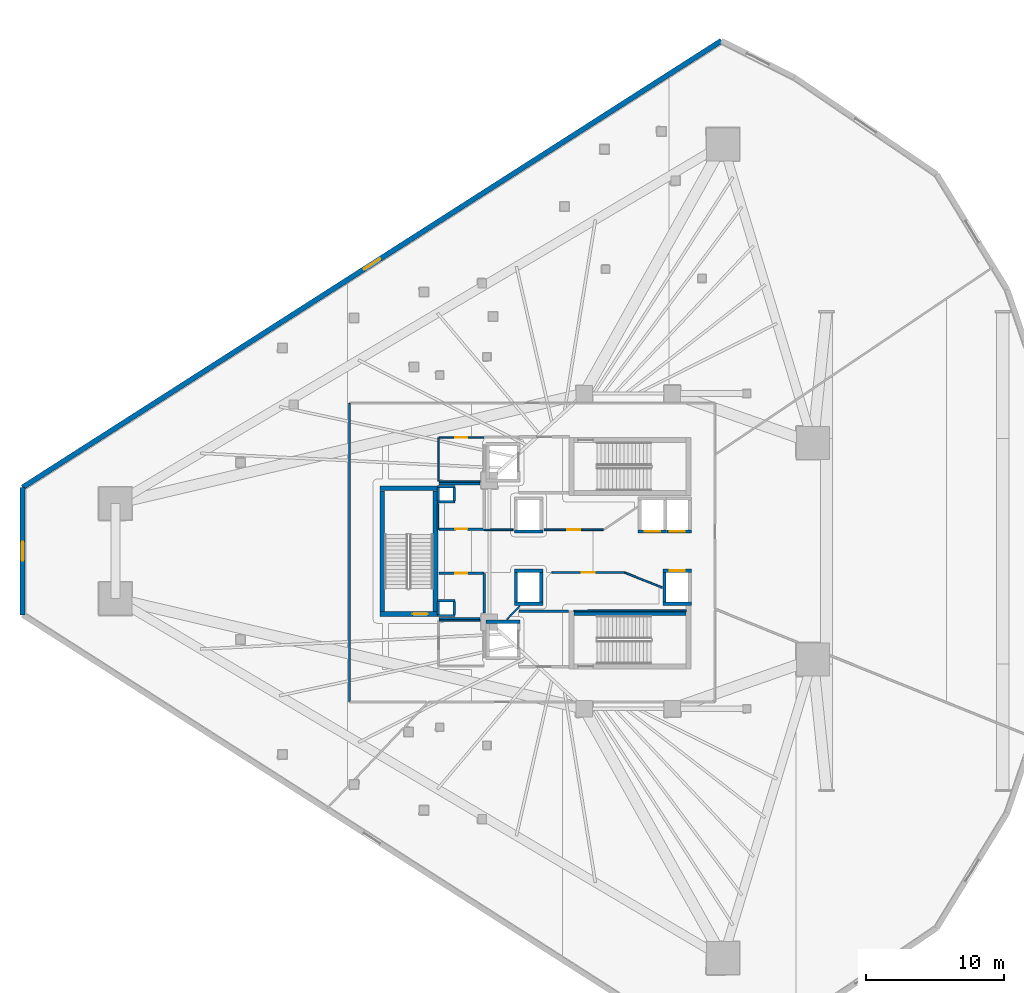
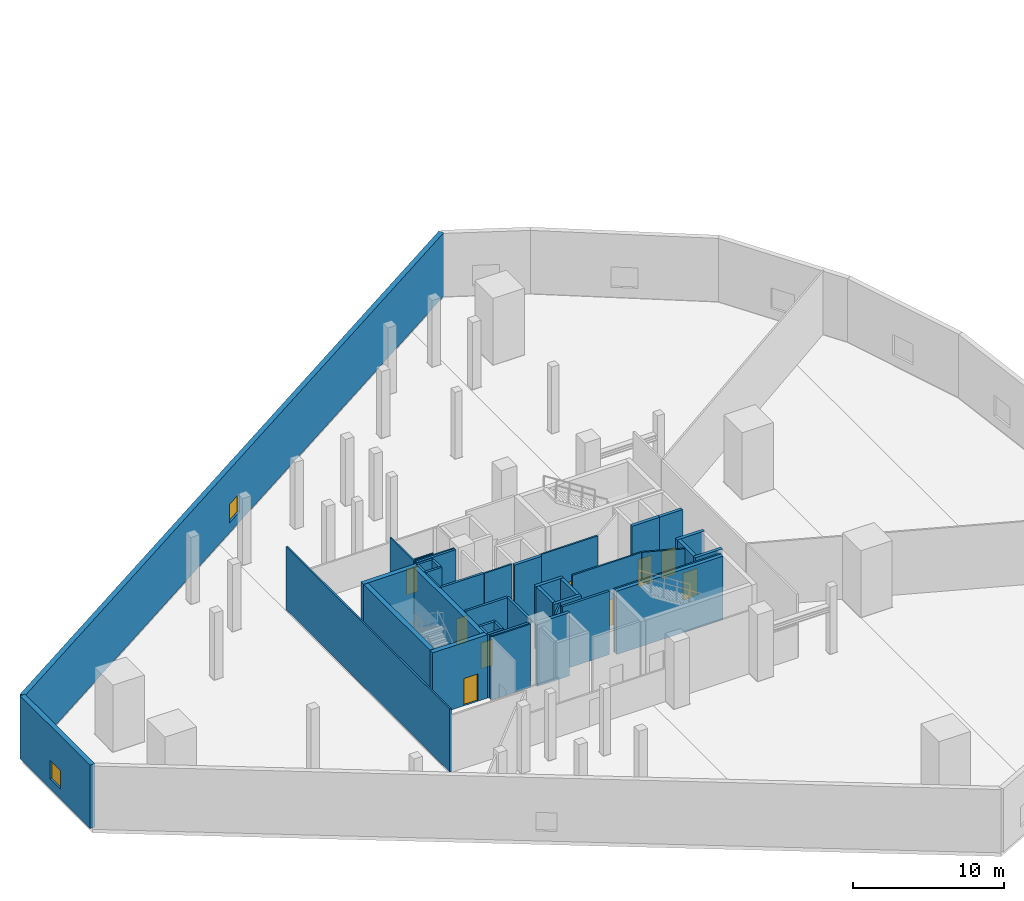
# One storey, part 25 of 36: 44 walls, 9 doors, 2 windows, 11 openings.
"""IFC4 building model written with IfcOpenShell, lengths in metres."""

import ifcopenshell
import ifcopenshell.guid

model = None  # the IFC model being written
_history = None  # IfcOwnerHistory: only IFC2X3 demands one
_inside = {}  # id of a spatial element -> (the spatial element, [elements in it])
_under = {}  # id of a project, library or spatial element -> (it, [spatial elements below it])
_declared = {}  # id of a project -> (the project, [libraries it declares])
_typed = {}  # id of a type object -> (the type object, [elements of that type])
_made_of = {}  # id of a material, layer set ... -> (it, [elements and type objects made of it])


def new_model(schema):
    """Start an empty IFC model of exactly this schema.

    Asked for "IFC4X3", IfcOpenShell would pick the latest addendum, in which some entities
    have other attributes; the version numbers below select the first issue.
    IFC2X3 requires an IfcOwnerHistory on every rooted entity: one is made here for all.
    """
    global model, _history
    if schema == "IFC4X3":
        model = ifcopenshell.file(schema_version=(4, 3, 0, 0))
    else:
        model = ifcopenshell.file(schema=schema)
    _inside.clear()
    _under.clear()
    _declared.clear()
    _typed.clear()
    _made_of.clear()
    _history = None
    if model.schema == "IFC2X3":
        org = make("IfcOrganization", Name="unknown")
        user = make(
            "IfcPersonAndOrganization",
            ThePerson=make("IfcPerson", FamilyName="unknown"),
            TheOrganization=org,
        )
        app = make(
            "IfcApplication",
            ApplicationDeveloper=org,
            Version="unknown",
            ApplicationFullName="unknown",
            ApplicationIdentifier="unknown",
        )
        _history = make(
            "IfcOwnerHistory",
            OwningUser=user,
            OwningApplication=app,
            ChangeAction="ADDED",
            CreationDate=0,
        )
    return model


def make(cls, **values):
    """One entity of the class cls with the attributes given. An attribute that is None is left unset."""
    return model.create_entity(
        cls, **{name: value for name, value in values.items() if value is not None}
    )


def rooted(cls, **values):
    """An entity with a GlobalId (a new one), such as an element, a storey or a relation."""
    return make(cls, GlobalId=ifcopenshell.guid.new(), OwnerHistory=_history, **values)


def si_unit(unit_type, name, prefix=None):
    """IfcSIUnit, for example si_unit("LENGTHUNIT", "METRE", prefix="MILLI")."""
    return make("IfcSIUnit", UnitType=unit_type, Prefix=prefix, Name=name)


def assignment(units):
    """IfcUnitAssignment: the units of a project."""
    return None if units is None else make("IfcUnitAssignment", Units=units)


def point(xyz):
    """IfcCartesianPoint."""
    return None if xyz is None else make("IfcCartesianPoint", Coordinates=xyz)


def direction(xyz):
    """IfcDirection."""
    return None if xyz is None else make("IfcDirection", DirectionRatios=xyz)


def frame(location, z_axis=None, x_axis=None):
    """IfcAxis2Placement3D, a coordinate frame: its origin and axes. An axis left out is left unset."""
    return make(
        "IfcAxis2Placement3D",
        Location=point(location),
        Axis=direction(z_axis),
        RefDirection=direction(x_axis),
    )


def frame_2d(location, x_axis=None):
    """IfcAxis2Placement2D, a coordinate frame in the plane: its origin and x axis."""
    return make(
        "IfcAxis2Placement2D", Location=point(location), RefDirection=direction(x_axis)
    )


def origin():
    """The frame at (0, 0, 0) with its axes left unset."""
    return frame((0.0, 0.0, 0.0))


def place(relative_to, where):
    """IfcLocalPlacement: puts the frame where relative to a parent placement (None: the world)."""
    return make(
        "IfcLocalPlacement", PlacementRelTo=relative_to, RelativePlacement=where
    )


def context(
    kind, dimensions, precision=None, world=None, true_north=None, identifier=None
):
    """IfcGeometricRepresentationContext, for example the 3D "Model" context."""
    return make(
        "IfcGeometricRepresentationContext",
        ContextIdentifier=identifier,
        ContextType=kind,
        CoordinateSpaceDimension=dimensions,
        Precision=precision,
        WorldCoordinateSystem=world,
        TrueNorth=true_north,
    )


def subcontext(parent, identifier, kind, view, scale=None):
    """IfcGeometricRepresentationSubContext, for example "Body" below "Model"."""
    return make(
        "IfcGeometricRepresentationSubContext",
        ContextIdentifier=identifier,
        ContextType=kind,
        ParentContext=parent,
        TargetScale=scale,
        TargetView=view,
    )


def project(units=None, contexts=None):
    """IfcProject with its units and contexts."""
    return rooted(
        "IfcProject",
        Name="project",
        RepresentationContexts=contexts,
        UnitsInContext=assignment(units),
    )


def spatial(cls, under=None, at=None, **own):
    """A site, building, storey or space (cls), placed at a placement, below another one or the project."""
    s = rooted(cls, ObjectPlacement=at, **own)
    if under is not None:
        _under.setdefault(under.id(), (under, []))[1].append(s)
    return s


def profile(cls, at=None, kind="AREA", **sizes):
    """A parametric profile (cls). Its sizes go by their IFC names, for example OverallWidth=200.0."""
    return make(cls, ProfileType=kind, Position=at, **sizes)


def rectangle(**sizes):
    """IfcRectangleProfileDef."""
    return profile("IfcRectangleProfileDef", **sizes)


def extrude(swept, where, along, depth):
    """IfcExtrudedAreaSolid: the profile swept, set in the frame where, extruded along a direction by depth."""
    return make(
        "IfcExtrudedAreaSolid",
        SweptArea=swept,
        Position=where,
        ExtrudedDirection=direction(along),
        Depth=depth,
    )


def shape(context_of_items, identifier, shape_type, items):
    """IfcShapeRepresentation: the items that make up one representation, for example the "Body"."""
    return make(
        "IfcShapeRepresentation",
        ContextOfItems=context_of_items,
        RepresentationIdentifier=identifier,
        RepresentationType=shape_type,
        Items=items,
    )


def material(Name=None, Category=None):
    """IfcMaterial."""
    return make("IfcMaterial", Name=Name, Category=Category)


def layer(
    of_material, thickness, ventilated=None, Name=None, Category=None, Priority=None
):
    """IfcMaterialLayer: one layer of a wall or slab, of a material (None: an air gap)."""
    return make(
        "IfcMaterialLayer",
        Material=of_material,
        LayerThickness=thickness,
        IsVentilated=ventilated,
        Name=Name,
        Category=Category,
        Priority=Priority,
    )


def layer_set(layers, Name=None):
    """IfcMaterialLayerSet."""
    return make("IfcMaterialLayerSet", MaterialLayers=layers, LayerSetName=Name)


def made_of(thing, what):
    """Note that an element or type object is made of a material, layer set ...; save() writes the relation."""
    if what is not None:
        _made_of.setdefault(what.id(), (what, []))[1].append(thing)
    return thing


def type_object(cls, material=None, **own):
    """A type object (cls), such as IfcWallType, which elements share."""
    return made_of(rooted(cls, **own), material)


def element(
    cls,
    number,
    at=None,
    inside=None,
    cuts=None,
    type_object=None,
    material=None,
    context=None,
    identifier="Body",
    shape_type=None,
    held_by="IfcProductDefinitionShape",
    body=None,
    shapes=None,
    **own,
):
    """One element of the class cls, such as IfcWall. Its Tag is "e" and its number.

    at: its placement. inside: the storey or other place that contains it. cuts: it is an
    opening in that element (IfcRelVoidsElement). A single representation is given by context,
    identifier, shape_type and body (its items); several are given by shapes. held_by: the class
    of the entity that holds the representations. save() writes the other relations.
    """
    e = rooted(cls, Tag="e%d" % number, ObjectPlacement=at, **own)
    if body is not None:
        shapes = [shape(context, identifier, shape_type, body)]
    if shapes is not None:
        e.Representation = make(held_by, Representations=shapes)
    if inside is not None:
        _inside.setdefault(inside.id(), (inside, []))[1].append(e)
    if cuts is not None:
        rooted(
            "IfcRelVoidsElement", RelatingBuildingElement=cuts, RelatedOpeningElement=e
        )
    if type_object is not None:
        _typed.setdefault(type_object.id(), (type_object, []))[1].append(e)
    return made_of(e, material)


def fill(opening, filler):
    """IfcRelFillsElement: the door or window that sits in an opening."""
    return rooted(
        "IfcRelFillsElement",
        RelatingOpeningElement=opening,
        RelatedBuildingElement=filler,
    )


def aggregate(whole, parts):
    """IfcRelAggregates: a whole, such as a stair, and the parts it consists of."""
    return rooted("IfcRelAggregates", RelatingObject=whole, RelatedObjects=parts)


def save(model, path):
    """Write the relations noted so far, then the file.

    IfcRelAggregates (storeys below a building ...), IfcRelContainedInSpatialStructure (elements
    in a storey), IfcRelDefinesByType, IfcRelAssociatesMaterial and IfcRelDeclares: one each for
    every whole, place, type object, material and project.
    """
    for whole, parts in _under.values():
        aggregate(whole, parts)
    for where, things in _inside.values():
        rooted(
            "IfcRelContainedInSpatialStructure",
            RelatedElements=things,
            RelatingStructure=where,
        )
    for kind, things in _typed.values():
        rooted("IfcRelDefinesByType", RelatedObjects=things, RelatingType=kind)
    for what, things in _made_of.values():
        rooted("IfcRelAssociatesMaterial", RelatedObjects=things, RelatingMaterial=what)
    for by, libraries in _declared.values():
        rooted("IfcRelDeclares", RelatingContext=by, RelatedDefinitions=libraries)
    model.write(path)


model = new_model("IFC4")

# Units and contexts
model_context = context("Model", 3, precision=1e-05, world=origin(), true_north=direction((0.0, 1.0)))
body_context = subcontext(model_context, "Body", "Model", "MODEL_VIEW")
ifc_project = project(units=[si_unit("LENGTHUNIT", "METRE"), si_unit("AREAUNIT", "SQUARE_METRE"), si_unit("VOLUMEUNIT", "CUBIC_METRE"), si_unit("PLANEANGLEUNIT", "RADIAN"), si_unit("MASSUNIT", "GRAM", prefix="KILO")], contexts=[model_context])

# Site, building, storey
site_placement = place(None, origin())
site = spatial("IfcSite", under=ifc_project, at=site_placement, CompositionType="ELEMENT")
building_placement = place(site_placement, origin())
building = spatial("IfcBuilding", under=site, at=building_placement, Name="Qorvath Tower", CompositionType="ELEMENT")
storey_placement = place(building_placement, frame((0.0, 0.0, 27.0)))
storey = spatial("IfcBuildingStorey", under=building, at=storey_placement, Name="L05", CompositionType="ELEMENT", Elevation=27.0)

# Walls
ifc_material_1 = material(Name="Gypsum shaftliner on steel studs", Category="steel")
ifc_layer_1 = layer(ifc_material_1, 0.179931640625)
ifc_layer_set_1 = layer_set([ifc_layer_1], Name="FW-LOBBY")
wall_type_1 = type_object("IfcWallType", Name="FW-LOBBY", PredefinedType="PARTITIONING", material=ifc_layer_set_1)
for number, where, z_axis, x_axis, name in (
    (1, (-32.989990234375, 3.594970703125, 0.0), (0.0, 0.0, 1.0), (-1.0, 0.0, 0.0), "MEP Riser Shaft Enclosure Wall N-L05-S"),
    (2, (-34.260009765625, 4.675048828125, 0.0), (0.0, 0.0, 1.0), (1.0, 0.0, 0.0), "MEP Riser Shaft Enclosure Wall N-L05-N"),
):
    element("IfcWall", number, at=place(storey_placement, frame(where, z_axis=z_axis, x_axis=x_axis)), inside=storey, type_object=wall_type_1, Name=name, PredefinedType="PARTITIONING", context=body_context, shape_type="SweptSolid", body=[
        extrude(rectangle(XDim=1.27001953125, YDim=0.179931640625, at=frame_2d((0.635009765625, 0.0))), origin(), (0.0, 0.0, 1.0), 5.1201171875),
    ])
for number, where, z_axis, x_axis, name in (
    (3, (-34.205078125, 3.659912109375, 0.0), (0.0, 0.0, 1.0), (0.0, 1.0, 0.0), "MEP Riser Shaft Enclosure Wall N-L05-W"),
    (4, (-33.044921875, 4.610107421875, 0.0), (0.0, 0.0, 1.0), (0.0, -1.0, 0.0), "MEP Riser Shaft Enclosure Wall N-L05-E"),
):
    element("IfcWall", number, at=place(storey_placement, frame(where, z_axis=z_axis, x_axis=x_axis)), inside=storey, type_object=wall_type_1, Name=name, PredefinedType="PARTITIONING", context=body_context, shape_type="SweptSolid", body=[
        extrude(rectangle(XDim=0.9501953125, YDim=0.179931640625, at=frame_2d((0.47509765625, 0.0))), origin(), (0.0, 0.0, 1.0), 5.1201171875),
    ])
for number, where, z_axis, x_axis, name in (
    (5, (-32.989990234375, -4.675048828125, 0.0), (0.0, 0.0, 1.0), (-1.0, 0.0, 0.0), "MEP Riser Shaft Enclosure Wall S-L05-S"),
    (6, (-34.260009765625, -3.594970703125, 0.0), (0.0, 0.0, 1.0), (1.0, 0.0, 0.0), "MEP Riser Shaft Enclosure Wall S-L05-N"),
):
    element("IfcWall", number, at=place(storey_placement, frame(where, z_axis=z_axis, x_axis=x_axis)), inside=storey, type_object=wall_type_1, Name=name, PredefinedType="PARTITIONING", context=body_context, shape_type="SweptSolid", body=[
        extrude(rectangle(XDim=1.27001953125, YDim=0.179931640625, at=frame_2d((0.635009765625, 0.0))), origin(), (0.0, 0.0, 1.0), 5.1201171875),
    ])
for number, where, z_axis, x_axis, name in (
    (7, (-34.205078125, -4.610107421875, 0.0), (0.0, 0.0, 1.0), (0.0, 1.0, 0.0), "MEP Riser Shaft Enclosure Wall S-L05-W"),
    (8, (-33.044921875, -3.659912109375, 0.0), (0.0, 0.0, 1.0), (0.0, -1.0, 0.0), "MEP Riser Shaft Enclosure Wall S-L05-E"),
):
    element("IfcWall", number, at=place(storey_placement, frame(where, z_axis=z_axis, x_axis=x_axis)), inside=storey, type_object=wall_type_1, Name=name, PredefinedType="PARTITIONING", context=body_context, shape_type="SweptSolid", body=[
        extrude(rectangle(XDim=0.9501953125, YDim=0.179931640625, at=frame_2d((0.47509765625, 0.0))), origin(), (0.0, 0.0, 1.0), 5.1201171875),
    ])
wall_1_placement = place(storey_placement, frame((-24.73291015625, -4.35009765625, 0.0), z_axis=(0.0, 0.0, 1.0), x_axis=(-1.0, 0.0, 0.0)))
element("IfcWall", 9, at=wall_1_placement, inside=storey, type_object=wall_type_1, Name="Interior Partition IW-T1-L05-004", PredefinedType="PARTITIONING", context=body_context, shape_type="SweptSolid", body=[
    extrude(rectangle(XDim=3.6220703125, YDim=0.179931640625, at=frame_2d((1.81103515625, 0.0))), origin(), (0.0, 0.0, 1.0), 5.1201171875),
])

# Wall, opening, door
wall_2_placement = place(storey_placement, frame((-34.15478515625, 1.60009765625, 0.0), z_axis=(0.0, 0.0, 1.0), x_axis=(1.0, 0.0, 0.0)))
wall_2 = element("IfcWall", 10, at=wall_2_placement, inside=storey, type_object=wall_type_1, Name="Interior Partition IW-T1-L05-013", PredefinedType="PARTITIONING", context=body_context, shape_type="SweptSolid", body=[
    extrude(rectangle(XDim=3.25, YDim=0.179931640625, at=frame_2d((1.625, 0.0))), origin(), (0.0, 0.0, 1.0), 5.1201171875),
])
opening_1_placement = place(wall_2_placement, frame((1.18505859375, 0.0, 0.0)))
opening_1 = element("IfcOpeningElement", 11, at=opening_1_placement, cuts=wall_2, Name="Opening D-T1-L05-04", PredefinedType="OPENING", context=body_context, shape_type="SweptSolid", body=[
    extrude(rectangle(XDim=0.8798828125, YDim=2.10009765625, at=frame_2d((0.43994140625, 1.050048828125))), frame((0.0, 0.10009765625, 0.0), z_axis=(0.0, -1.0, 0.0), x_axis=(1.0, 0.0, 0.0)), (0.0, 0.0, 1.0), 0.199951171875),
])
ifc_material_2 = material(Name="Painted galvanised hollow metal", Category="steel")
door_type_1 = type_object("IfcDoorType", Name="FD-60N", OperationType="NOTDEFINED", PredefinedType="DOOR", material=ifc_material_2)
door_1_placement = place(opening_1_placement, origin())
door_1 = element("IfcDoor", 12, at=door_1_placement, inside=storey, type_object=door_type_1, Name="Core cleaner and custodial room L05 Door D-T1-L05-04", OperationType="SINGLE_SWING_LEFT", OverallHeight=2.10009765625, OverallWidth=0.8798828125, PredefinedType="DOOR", context=body_context, shape_type="SweptSolid", body=[
    extrude(rectangle(XDim=0.8798828125, YDim=2.10009765625, at=frame_2d((0.43994140625, 1.050048828125))), frame((0.0, 0.02490234375, 0.0), z_axis=(0.0, -1.0, 0.0), x_axis=(1.0, 0.0, 0.0)), (0.0, 0.0, 1.0), 0.050048828125),
])
fill(opening_1, door_1)

# Walls
for number, where, z_axis, x_axis, name in (
    (13, (-31.1650390625, 4.89990234375, 0.0), (0.0, 0.0, 1.0), (-1.0, 0.0, 0.0), "Interior Partition IW-T1-L05-015"),
    (14, (-34.15478515625, -4.89990234375, 0.0), (0.0, 0.0, 1.0), (1.0, 0.0, 0.0), "Interior Partition IW-T1-L05-016"),
):
    element("IfcWall", number, at=place(storey_placement, frame(where, z_axis=z_axis, x_axis=x_axis)), inside=storey, type_object=wall_type_1, Name=name, PredefinedType="PARTITIONING", context=body_context, shape_type="SweptSolid", body=[
        extrude(rectangle(XDim=2.98974609375, YDim=0.179931640625, at=frame_2d((1.494873046875, 0.0))), origin(), (0.0, 0.0, 1.0), 5.1201171875),
    ])
wall_3_placement = place(storey_placement, frame((-30.8798828125, -4.485107421875, 0.0), z_axis=(0.0, 0.0, 1.0), x_axis=(0.0, 1.0, 0.0)))
element("IfcWall", 15, at=wall_3_placement, inside=storey, type_object=wall_type_1, Name="Interior Partition IW-T1-L05-017", PredefinedType="PARTITIONING", context=body_context, shape_type="SweptSolid", body=[
    extrude(rectangle(XDim=2.860107421875, YDim=0.179931640625, at=frame_2d((1.43017578125, 0.0))), origin(), (0.0, 0.0, 1.0), 5.1201171875),
])

# Wall, opening, door
wall_4_placement = place(storey_placement, frame((-30.90478515625, -1.60009765625, 0.0), z_axis=(0.0, 0.0, 1.0), x_axis=(-1.0, 0.0, 0.0)))
wall_4 = element("IfcWall", 16, at=wall_4_placement, inside=storey, type_object=wall_type_1, Name="Interior Partition IW-T1-L05-018", PredefinedType="PARTITIONING", context=body_context, shape_type="SweptSolid", body=[
    extrude(rectangle(XDim=3.25, YDim=0.179931640625, at=frame_2d((1.625, 0.0))), origin(), (0.0, 0.0, 1.0), 5.1201171875),
])
opening_2_placement = place(wall_4_placement, frame((1.18505859375, 0.0, 0.0)))
opening_2 = element("IfcOpeningElement", 17, at=opening_2_placement, cuts=wall_4, Name="Opening D-T1-L05-05", PredefinedType="OPENING", context=body_context, shape_type="SweptSolid", body=[
    extrude(rectangle(XDim=0.8798828125, YDim=2.10009765625, at=frame_2d((0.43994140625, 1.050048828125))), frame((0.0, 0.10009765625, 0.0), z_axis=(0.0, -1.0, 0.0), x_axis=(1.0, 0.0, 0.0)), (0.0, 0.0, 1.0), 0.199951171875),
])
door_2_placement = place(opening_2_placement, origin())
door_2 = element("IfcDoor", 18, at=door_2_placement, inside=storey, type_object=door_type_1, Name="Core electrical room L05 Door D-T1-L05-05", OperationType="SINGLE_SWING_RIGHT", OverallHeight=2.10009765625, OverallWidth=0.8798828125, PredefinedType="DOOR", context=body_context, shape_type="SweptSolid", body=[
    extrude(rectangle(XDim=0.8798828125, YDim=2.10009765625, at=frame_2d((0.43994140625, 1.050048828125))), frame((0.0, 0.02490234375, 0.0), z_axis=(0.0, -1.0, 0.0), x_axis=(1.0, 0.0, 0.0)), (0.0, 0.0, 1.0), 0.050048828125),
])
fill(opening_2, door_2)

# Walls
ifc_material_3 = material(Name="Gypsum board on metal studs with mineral wool", Category="gypsum")
ifc_layer_2 = layer(ifc_material_3, 0.125)
ifc_layer_set_2 = layer_set([ifc_layer_2], Name="IW-PART-125")
wall_type_2 = type_object("IfcWallType", Name="IW-PART-125", PredefinedType="PARTITIONING", material=ifc_layer_set_2)
wall_5_placement = place(storey_placement, frame((-40.657958984375, 10.733154296875, 0.0), z_axis=(0.0, 0.0, 1.0), x_axis=(0.0, -1.0, 0.0)))
element("IfcWall", 19, at=wall_5_placement, inside=storey, type_object=wall_type_2, Name="Interior Partition IW-T1-L05-019", PredefinedType="PARTITIONING", context=body_context, shape_type="SweptSolid", body=[
    extrude(rectangle(XDim=21.666259765625, YDim=0.125, at=frame_2d((10.8330078125, 0.0))), origin(), (0.0, 0.0, 1.0), 5.1201171875),
])
wall_6_placement = place(storey_placement, frame((-34.241943359375, 3.429931640625, 0.0), z_axis=(0.0, 0.0, 1.0), x_axis=(0.0, -1.0, 0.0)))
element("IfcWall", 20, at=wall_6_placement, inside=storey, type_object=wall_type_2, Name="Interior Partition IW-T1-L05-028", PredefinedType="PARTITIONING", context=body_context, shape_type="SweptSolid", body=[
    extrude(rectangle(XDim=1.876953125, YDim=0.125, at=frame_2d((0.9384765625, 0.0))), origin(), (0.0, 0.0, 1.0), 5.1201171875),
])
wall_7_placement = place(storey_placement, frame((-30.8798828125, 1.5458984375, 0.0), z_axis=(0.0, 0.0, 1.0), x_axis=(0.999985801137, 0.005328932675, 0.0)))
element("IfcWall", 21, at=wall_7_placement, inside=storey, type_object=wall_type_2, Name="Interior Partition IW-T1-L05-029", PredefinedType="PARTITIONING", context=body_context, shape_type="SweptSolid", body=[
    extrude(rectangle(XDim=2.107421875, YDim=0.125, at=frame_2d((1.0537109375, 0.0))), origin(), (0.0, 0.0, 1.0), 5.1201171875),
])

# Wall, opening, door
wall_8_placement = place(storey_placement, frame((-26.529052734375, 1.55810546875, 0.0), z_axis=(0.0, 0.0, 1.0), x_axis=(1.0, 0.0, 0.0)))
wall_8 = element("IfcWall", 22, at=wall_8_placement, inside=storey, type_object=wall_type_2, Name="Interior Partition IW-T1-L05-030", PredefinedType="PARTITIONING", context=body_context, shape_type="SweptSolid", body=[
    extrude(rectangle(XDim=4.31396484375, YDim=0.125, at=frame_2d((2.156982421875, 0.0))), origin(), (0.0, 0.0, 1.0), 5.1201171875),
])
opening_3_placement = place(wall_8_placement, frame((1.681884765625, 0.0, 0.0)))
opening_3 = element("IfcOpeningElement", 23, at=opening_3_placement, cuts=wall_8, Name="Opening D-T1-L05-07", PredefinedType="OPENING", context=body_context, shape_type="SweptSolid", body=[
    extrude(rectangle(XDim=0.949951171875, YDim=2.14990234375, at=frame_2d((0.47509765625, 1.074951171875))), frame((0.0, 0.072509765625, 0.0), z_axis=(0.0, -1.0, 0.0), x_axis=(1.0, 0.0, 0.0)), (0.0, 0.0, 1.0), 0.14501953125),
])
ifc_material_4 = material(Name="Solid-core American white oak veneer", Category="wood")
door_type_2 = type_object("IfcDoorType", Name="D-01", OperationType="NOTDEFINED", PredefinedType="DOOR", material=ifc_material_4)
door_3_placement = place(opening_3_placement, origin())
door_3 = element("IfcDoor", 24, at=door_3_placement, inside=storey, type_object=door_type_2, Name="L05-02 Staff Wellness Studio Door D-T1-L05-07", OperationType="SINGLE_SWING_RIGHT", OverallHeight=2.14990234375, OverallWidth=0.949951171875, PredefinedType="DOOR", context=body_context, shape_type="SweptSolid", body=[
    extrude(rectangle(XDim=0.949951171875, YDim=2.14990234375, at=frame_2d((0.47509765625, 1.074951171875))), frame((0.0, 0.02490234375, 0.0), z_axis=(0.0, -1.0, 0.0), x_axis=(1.0, 0.0, 0.0)), (0.0, 0.0, 1.0), 0.050048828125),
])
fill(opening_3, door_3)

wall_9_placement = place(storey_placement, frame((-20.6689453125, -1.55810546875, 0.0), z_axis=(0.0, 0.0, 1.0), x_axis=(-1.0, 0.0, 0.0)))
wall_9 = element("IfcWall", 25, at=wall_9_placement, inside=storey, type_object=wall_type_2, Name="Interior Partition IW-T1-L05-038", PredefinedType="PARTITIONING", context=body_context, shape_type="SweptSolid", body=[
    extrude(rectangle(XDim=5.28955078125, YDim=0.125, at=frame_2d((2.644775390625, 0.0))), origin(), (0.0, 0.0, 1.0), 5.1201171875),
])
opening_4_placement = place(wall_9_placement, frame((2.169921875, 0.0, 0.0)))
opening_4 = element("IfcOpeningElement", 26, at=opening_4_placement, cuts=wall_9, Name="Opening D-T1-L05-11", PredefinedType="OPENING", context=body_context, shape_type="SweptSolid", body=[
    extrude(rectangle(XDim=0.949951171875, YDim=2.14990234375, at=frame_2d((0.47509765625, 1.074951171875))), frame((0.0, 0.072509765625, 0.0), z_axis=(0.0, -1.0, 0.0), x_axis=(1.0, 0.0, 0.0)), (0.0, 0.0, 1.0), 0.14501953125),
])
door_4_placement = place(opening_4_placement, origin())
door_4 = element("IfcDoor", 27, at=door_4_placement, inside=storey, type_object=door_type_2, Name="L05-04 Executive Partner Office Door D-T1-L05-11", OperationType="SINGLE_SWING_RIGHT", OverallHeight=2.14990234375, OverallWidth=0.949951171875, PredefinedType="DOOR", context=body_context, shape_type="SweptSolid", body=[
    extrude(rectangle(XDim=0.949951171875, YDim=2.14990234375, at=frame_2d((0.47509765625, 1.074951171875))), frame((0.0, 0.02490234375, 0.0), z_axis=(0.0, -1.0, 0.0), x_axis=(1.0, 0.0, 0.0)), (0.0, 0.0, 1.0), 0.050048828125),
])
fill(opening_4, door_4)

# Walls
wall_10_placement = place(storey_placement, frame((-28.288330078125, -3.978271484375, 0.0), z_axis=(0.0, 0.0, 1.0), x_axis=(-0.689632952317, -0.724159092381, 0.0)))
element("IfcWall", 28, at=wall_10_placement, inside=storey, type_object=wall_type_2, Name="Interior Partition IW-T1-L05-039", PredefinedType="PARTITIONING", context=body_context, shape_type="SweptSolid", body=[
    extrude(rectangle(XDim=1.371826171875, YDim=0.125, at=frame_2d((0.68603515625, 0.0))), origin(), (0.0, 0.0, 1.0), 5.1201171875),
])
wall_11_placement = place(storey_placement, frame((-24.35986328125, -4.3388671875, 0.0), z_axis=(0.0, 0.0, 1.0), x_axis=(0.999999674507, 0.000806836936, 0.0)))
element("IfcWall", 29, at=wall_11_placement, inside=storey, type_object=wall_type_2, Name="Interior Partition IW-T1-L05-040", PredefinedType="PARTITIONING", context=body_context, shape_type="SweptSolid", body=[
    extrude(rectangle(XDim=8.169921875, YDim=0.125, at=frame_2d((4.0849609375, 0.0))), origin(), (0.0, 0.0, 1.0), 5.1201171875),
])
wall_12_placement = place(storey_placement, frame((-17.93310546875, -2.6533203125, 0.0), z_axis=(0.0, 0.0, 1.0), x_axis=(-0.927181652453, 0.374612043792, 0.0)))
element("IfcWall", 30, at=wall_12_placement, inside=storey, type_object=wall_type_2, Name="Interior Partition IW-T1-L05-041", PredefinedType="PARTITIONING", context=body_context, shape_type="SweptSolid", body=[
    extrude(rectangle(XDim=2.89892578125, YDim=0.125, at=frame_2d((1.449462890625, 0.0))), origin(), (0.0, 0.0, 1.0), 5.1201171875),
])
ifc_material_5 = material(Name="Moisture-resistant cement board on metal studs", Category="gypsum")
ifc_layer_3 = layer(ifc_material_5, 0.110107421875)
ifc_layer_set_3 = layer_set([ifc_layer_3], Name="IW-WC-110")
wall_type_3 = type_object("IfcWallType", Name="IW-WC-110", PredefinedType="PARTITIONING", material=ifc_layer_set_3)
wall_13_placement = place(storey_placement, frame((-34.179931640625, 8.22509765625, 0.0), z_axis=(0.0, 0.0, 1.0), x_axis=(0.0, -1.0, 0.0)))
element("IfcWall", 31, at=wall_13_placement, inside=storey, type_object=wall_type_3, Name="Interior Partition IW-T1-L05-005", PredefinedType="PARTITIONING", context=body_context, shape_type="SweptSolid", body=[
    extrude(rectangle(XDim=3.150146484375, YDim=0.110107421875, at=frame_2d((1.5751953125, 0.0))), origin(), (0.0, 0.0, 1.0), 5.1201171875),
])
wall_14_placement = place(storey_placement, frame((-34.15478515625, 5.050048828125, 0.0), z_axis=(0.0, 0.0, 1.0), x_axis=(1.0, 0.0, 0.0)))
element("IfcWall", 32, at=wall_14_placement, inside=storey, type_object=wall_type_3, Name="Interior Partition IW-T1-L05-006", PredefinedType="PARTITIONING", context=body_context, shape_type="SweptSolid", body=[
    extrude(rectangle(XDim=2.98974609375, YDim=0.110107421875, at=frame_2d((1.494873046875, 0.0))), origin(), (0.0, 0.0, 1.0), 5.1201171875),
])

# Wall, opening, door
wall_15_placement = place(storey_placement, frame((-30.90478515625, 8.25, 0.0), z_axis=(0.0, 0.0, 1.0), x_axis=(-1.0, 0.0, 0.0)))
wall_15 = element("IfcWall", 33, at=wall_15_placement, inside=storey, type_object=wall_type_3, Name="Interior Partition IW-T1-L05-008", PredefinedType="PARTITIONING", context=body_context, shape_type="SweptSolid", body=[
    extrude(rectangle(XDim=3.25, YDim=0.110107421875, at=frame_2d((1.625, 0.0))), origin(), (0.0, 0.0, 1.0), 2.690185546875),
])
opening_5_placement = place(wall_15_placement, frame((1.18505859375, 0.0, 0.0)))
opening_5 = element("IfcOpeningElement", 34, at=opening_5_placement, cuts=wall_15, Name="Opening D-T1-L05-02", PredefinedType="OPENING", context=body_context, shape_type="SweptSolid", body=[
    extrude(rectangle(XDim=0.8798828125, YDim=2.10009765625, at=frame_2d((0.43994140625, 1.050048828125))), frame((0.0, 0.06494140625, 0.0), z_axis=(0.0, -1.0, 0.0), x_axis=(1.0, 0.0, 0.0)), (0.0, 0.0, 1.0), 0.130126953125),
])
ifc_material_6 = material(Name="Solid-core oak with acoustic drop seal", Category="wood")
door_type_3 = type_object("IfcDoorType", Name="D-02", OperationType="NOTDEFINED", PredefinedType="DOOR", material=ifc_material_6)
door_5_placement = place(opening_5_placement, origin())
door_5 = element("IfcDoor", 35, at=door_5_placement, inside=storey, type_object=door_type_3, Name="WC All-Gender North L05 Door D-T1-L05-02", OperationType="SINGLE_SWING_LEFT", OverallHeight=2.10009765625, OverallWidth=0.8798828125, PredefinedType="DOOR", context=body_context, shape_type="SweptSolid", body=[
    extrude(rectangle(XDim=0.8798828125, YDim=2.10009765625, at=frame_2d((0.43994140625, 1.050048828125))), frame((0.0, 0.02490234375, 0.0), z_axis=(0.0, -1.0, 0.0), x_axis=(1.0, 0.0, 0.0)), (0.0, 0.0, 1.0), 0.050048828125),
])
fill(opening_5, door_5)

# Walls
wall_16_placement = place(storey_placement, frame((-31.1650390625, -5.050048828125, 0.0), z_axis=(0.0, 0.0, 1.0), x_axis=(-1.0, 0.0, 0.0)))
element("IfcWall", 36, at=wall_16_placement, inside=storey, type_object=wall_type_3, Name="Interior Partition IW-T1-L05-011", PredefinedType="PARTITIONING", context=body_context, shape_type="SweptSolid", body=[
    extrude(rectangle(XDim=2.98974609375, YDim=0.110107421875, at=frame_2d((1.494873046875, 0.0))), origin(), (0.0, 0.0, 1.0), 5.1201171875),
])
ifc_material_7 = material(Name="Concrete C60/75", Category="concrete")
ifc_layer_4 = layer(ifc_material_7, 0.260009765625)
ifc_layer_set_4 = layer_set([ifc_layer_4], Name="SW-SHAFT")
wall_type_4 = type_object("IfcWallType", Name="SW-SHAFT", PredefinedType="SHEAR", material=ifc_layer_set_4)
wall_17_placement = place(storey_placement, frame((-30.739990234375, -5.1298828125, 0.0), z_axis=(0.0, 0.0, 1.0), x_axis=(1.0, 0.0, 0.0)))
element("IfcWall", 37, at=wall_17_placement, inside=storey, type_object=wall_type_4, Name="Hoistway Wall FSAE-2 L05 N", PredefinedType="SHEAR", context=body_context, shape_type="SweptSolid", body=[
    extrude(rectangle(XDim=2.47998046875, YDim=0.239990234375, at=frame_2d((1.239990234375, 0.0))), origin(), (0.0, 0.0, 1.0), 5.1201171875),
])
wall_18_placement = place(storey_placement, frame((-26.610107421875, 1.429931640625, 0.0), z_axis=(0.0, 0.0, 1.0), x_axis=(-1.0, 0.0, 0.0)))
element("IfcWall", 38, at=wall_18_placement, inside=storey, type_object=wall_type_4, Name="Hoistway Wall PS-1 L05 S", PredefinedType="SHEAR", context=body_context, shape_type="SweptSolid", body=[
    extrude(rectangle(XDim=2.079833984375, YDim=0.239990234375, at=frame_2d((1.0400390625, 0.0))), origin(), (0.0, 0.0, 1.0), 5.1201171875),
])

# Wall, opening, door
wall_19_placement = place(storey_placement, frame((-17.610107421875, 1.429931640625, 0.0), z_axis=(0.0, 0.0, 1.0), x_axis=(-1.0, 0.0, 0.0)))
wall_19 = element("IfcWall", 39, at=wall_19_placement, inside=storey, type_object=wall_type_4, Name="Hoistway Wall PL-1 L05 S", PredefinedType="SHEAR", context=body_context, shape_type="SweptSolid", body=[
    extrude(rectangle(XDim=2.079833984375, YDim=0.239990234375, at=frame_2d((1.0400390625, 0.0))), origin(), (0.0, 0.0, 1.0), 5.1201171875),
])
opening_6_placement = place(wall_19_placement, frame((0.48974609375, 0.0, 0.0)))
opening_6 = element("IfcOpeningElement", 40, at=opening_6_placement, cuts=wall_19, Name="Opening LD-PL-1-L05", PredefinedType="OPENING", context=body_context, shape_type="SweptSolid", body=[
    extrude(rectangle(XDim=1.10009765625, YDim=2.199951171875, at=frame_2d((0.550048828125, 1.10009765625))), frame((0.0, 0.1298828125, 0.0), z_axis=(0.0, -1.0, 0.0), x_axis=(1.0, 0.0, 0.0)), (0.0, 0.0, 1.0), 0.260009765625),
])
ifc_material_8 = material(Name="Brushed stainless steel AISI 316", Category="steel")
door_type_4 = type_object("IfcDoorType", Name="LD-01", OperationType="NOTDEFINED", PredefinedType="DOOR", material=ifc_material_8)
door_6_placement = place(opening_6_placement, origin())
door_6 = element("IfcDoor", 41, at=door_6_placement, inside=storey, type_object=door_type_4, Name="Elevator Landing Sliding Door LD-PL-1-L05", OperationType="DOUBLE_DOOR_SLIDING", OverallHeight=2.199951171875, OverallWidth=1.10009765625, PredefinedType="DOOR", context=body_context, shape_type="SweptSolid", body=[
    extrude(rectangle(XDim=1.10009765625, YDim=2.199951171875, at=frame_2d((0.550048828125, 1.10009765625))), frame((0.0, 0.02490234375, 0.0), z_axis=(0.0, -1.0, 0.0), x_axis=(1.0, 0.0, 0.0)), (0.0, 0.0, 1.0), 0.050048828125),
])
fill(opening_6, door_6)

wall_20_placement = place(storey_placement, frame((-15.81005859375, 1.429931640625, 0.0), z_axis=(0.0, 0.0, 1.0), x_axis=(-1.0, 0.0, 0.0)))
wall_20 = element("IfcWall", 42, at=wall_20_placement, inside=storey, type_object=wall_type_4, Name="Hoistway Wall PL-3 L05 S", PredefinedType="SHEAR", context=body_context, shape_type="SweptSolid", body=[
    extrude(rectangle(XDim=1.800048828125, YDim=0.239990234375, at=frame_2d((0.89990234375, 0.0))), origin(), (0.0, 0.0, 1.0), 5.1201171875),
])
opening_7_placement = place(wall_20_placement, frame((0.489990234375, 0.0, 0.0)))
opening_7 = element("IfcOpeningElement", 43, at=opening_7_placement, cuts=wall_20, Name="Opening LD-PL-3-L05", PredefinedType="OPENING", context=body_context, shape_type="SweptSolid", body=[
    extrude(rectangle(XDim=1.10009765625, YDim=2.199951171875, at=frame_2d((0.550048828125, 1.10009765625))), frame((0.0, 0.1298828125, 0.0), z_axis=(0.0, -1.0, 0.0), x_axis=(1.0, 0.0, 0.0)), (0.0, 0.0, 1.0), 0.260009765625),
])
door_7_placement = place(opening_7_placement, origin())
door_7 = element("IfcDoor", 44, at=door_7_placement, inside=storey, type_object=door_type_4, Name="Elevator Landing Sliding Door LD-PL-3-L05", OperationType="DOUBLE_DOOR_SLIDING", OverallHeight=2.199951171875, OverallWidth=1.10009765625, PredefinedType="DOOR", context=body_context, shape_type="SweptSolid", body=[
    extrude(rectangle(XDim=1.10009765625, YDim=2.199951171875, at=frame_2d((0.550048828125, 1.10009765625))), frame((0.0, 0.02490234375, 0.0), z_axis=(0.0, -1.0, 0.0), x_axis=(1.0, 0.0, 0.0)), (0.0, 0.0, 1.0), 0.050048828125),
])
fill(opening_7, door_7)

# Walls
for number, where, z_axis, x_axis, name in (
    (45, (-26.610107421875, -3.820068359375, 0.0), (0.0, 0.0, 1.0), (-1.0, 0.0, 0.0), "Hoistway Wall PS-2 L05 S"),
    (46, (-28.68994140625, -1.429931640625, 0.0), (0.0, 0.0, 1.0), (1.0, 0.0, 0.0), "Hoistway Wall PS-2 L05 N"),
):
    element("IfcWall", number, at=place(storey_placement, frame(where, z_axis=z_axis, x_axis=x_axis)), inside=storey, type_object=wall_type_4, Name=name, PredefinedType="SHEAR", context=body_context, shape_type="SweptSolid", body=[
        extrude(rectangle(XDim=2.079833984375, YDim=0.239990234375, at=frame_2d((1.0400390625, 0.0))), origin(), (0.0, 0.0, 1.0), 5.1201171875),
    ])
for number, where, z_axis, x_axis, name in (
    (47, (-28.570068359375, -3.68798828125, 0.0), (0.0, 0.0, 1.0), (0.0, 1.0, 0.0), "Hoistway Wall PS-2 L05 W"),
    (48, (-26.72998046875, -1.56201171875, 0.0), (0.0, 0.0, 1.0), (0.0, -1.0, 0.0), "Hoistway Wall PS-2 L05 E"),
):
    element("IfcWall", number, at=place(storey_placement, frame(where, z_axis=z_axis, x_axis=x_axis)), inside=storey, type_object=wall_type_4, Name=name, PredefinedType="SHEAR", context=body_context, shape_type="SweptSolid", body=[
        extrude(rectangle(XDim=2.1259765625, YDim=0.239990234375, at=frame_2d((1.06298828125, 0.0))), origin(), (0.0, 0.0, 1.0), 5.1201171875),
    ])
wall_21_placement = place(storey_placement, frame((-15.81005859375, -3.820068359375, 0.0), z_axis=(0.0, 0.0, 1.0), x_axis=(-1.0, 0.0, 0.0)))
element("IfcWall", 49, at=wall_21_placement, inside=storey, type_object=wall_type_4, Name="Hoistway Wall PL-2 L05 S", PredefinedType="SHEAR", context=body_context, shape_type="SweptSolid", body=[
    extrude(rectangle(XDim=2.079833984375, YDim=0.239990234375, at=frame_2d((1.0400390625, 0.0))), origin(), (0.0, 0.0, 1.0), 5.1201171875),
])

# Wall, opening, door
wall_22_placement = place(storey_placement, frame((-17.889892578125, -1.429931640625, 0.0), z_axis=(0.0, 0.0, 1.0), x_axis=(1.0, 0.0, 0.0)))
wall_22 = element("IfcWall", 50, at=wall_22_placement, inside=storey, type_object=wall_type_4, Name="Hoistway Wall PL-2 L05 N", PredefinedType="SHEAR", context=body_context, shape_type="SweptSolid", body=[
    extrude(rectangle(XDim=2.079833984375, YDim=0.239990234375, at=frame_2d((1.0400390625, 0.0))), origin(), (0.0, 0.0, 1.0), 5.1201171875),
])
opening_8_placement = place(wall_22_placement, frame((0.48974609375, 0.0, 0.0)))
opening_8 = element("IfcOpeningElement", 51, at=opening_8_placement, cuts=wall_22, Name="Opening LD-PL-2-L05", PredefinedType="OPENING", context=body_context, shape_type="SweptSolid", body=[
    extrude(rectangle(XDim=1.10009765625, YDim=2.199951171875, at=frame_2d((0.550048828125, 1.10009765625))), frame((0.0, 0.1298828125, 0.0), z_axis=(0.0, -1.0, 0.0), x_axis=(1.0, 0.0, 0.0)), (0.0, 0.0, 1.0), 0.260009765625),
])
door_8_placement = place(opening_8_placement, origin())
door_8 = element("IfcDoor", 52, at=door_8_placement, inside=storey, type_object=door_type_4, Name="Elevator Landing Sliding Door LD-PL-2-L05", OperationType="DOUBLE_DOOR_SLIDING", OverallHeight=2.199951171875, OverallWidth=1.10009765625, PredefinedType="DOOR", context=body_context, shape_type="SweptSolid", body=[
    extrude(rectangle(XDim=1.10009765625, YDim=2.199951171875, at=frame_2d((0.550048828125, 1.10009765625))), frame((0.0, 0.02490234375, 0.0), z_axis=(0.0, -1.0, 0.0), x_axis=(1.0, 0.0, 0.0)), (0.0, 0.0, 1.0), 0.050048828125),
])
fill(opening_8, door_8)

# Walls
wall_23_placement = place(storey_placement, frame((-17.77001953125, -3.68798828125, 0.0), z_axis=(0.0, 0.0, 1.0), x_axis=(0.0, 1.0, 0.0)))
element("IfcWall", 53, at=wall_23_placement, inside=storey, type_object=wall_type_4, Name="Hoistway Wall PL-2 L05 W", PredefinedType="SHEAR", context=body_context, shape_type="SweptSolid", body=[
    extrude(rectangle(XDim=2.1259765625, YDim=0.239990234375, at=frame_2d((1.06298828125, 0.0))), origin(), (0.0, 0.0, 1.0), 5.1201171875),
])
ifc_material_9 = material(Name="Concrete C60/75", Category="concrete")
ifc_layer_5 = layer(ifc_material_9, 0.35009765625)
ifc_layer_set_5 = layer_set([ifc_layer_5], Name="SW-STAIR")
wall_type_5 = type_object("IfcWallType", Name="SW-STAIR", PredefinedType="SHEAR", material=ifc_layer_set_5)
wall_24_placement = place(storey_placement, frame((-16.215087890625, -4.514892578125, 0.0), z_axis=(0.0, 0.0, 1.0), x_axis=(-1.0, 0.0, 0.0)))
element("IfcWall", 54, at=wall_24_placement, inside=storey, type_object=wall_type_5, Name="Stair TS2 Shear Wall L05 RIGHT", PredefinedType="SHEAR", context=body_context, shape_type="SweptSolid", body=[
    extrude(rectangle(XDim=8.119873046875, YDim=0.35009765625, at=frame_2d((4.06005859375, 0.0))), origin(), (0.0, 0.0, 1.0), 5.1201171875),
])

# Wall, opening, door
wall_25_placement = place(storey_placement, frame((-38.4599609375, -4.574951171875, 0.0), z_axis=(0.0, 0.0, 1.0), x_axis=(1.0, 0.0, 0.0)))
wall_25 = element("IfcWall", 55, at=wall_25_placement, inside=storey, type_object=wall_type_5, Name="Stair TS3 Shear Wall L05 NEAR", PredefinedType="SHEAR", context=body_context, shape_type="SweptSolid", body=[
    extrude(rectangle(XDim=4.2099609375, YDim=0.35009765625, at=frame_2d((2.10498046875, 0.0))), origin(), (0.0, 0.0, 1.0), 5.1201171875),
])
opening_9_placement = place(wall_25_placement, frame((2.389892578125, 0.0, 0.0)))
opening_9 = element("IfcOpeningElement", 56, at=opening_9_placement, cuts=wall_25, Name="Opening D-TS3-L05", PredefinedType="OPENING", context=body_context, shape_type="SweptSolid", body=[
    extrude(rectangle(XDim=1.10009765625, YDim=2.199951171875, at=frame_2d((0.550048828125, 1.10009765625))), frame((0.0, 0.18505859375, 0.0), z_axis=(0.0, -1.0, 0.0), x_axis=(1.0, 0.0, 0.0)), (0.0, 0.0, 1.0), 0.3701171875),
])
ifc_material_10 = material(Name="Painted galvanised hollow metal", Category="steel")
door_type_5 = type_object("IfcDoorType", Name="FD-90", OperationType="NOTDEFINED", PredefinedType="DOOR", material=ifc_material_10)
door_9_placement = place(opening_9_placement, origin())
door_9 = element("IfcDoor", 57, at=door_9_placement, inside=storey, type_object=door_type_5, Name="Stair TS3 Fire Door L05", OperationType="SINGLE_SWING_RIGHT", OverallHeight=2.199951171875, OverallWidth=1.10009765625, PredefinedType="DOOR", context=body_context, shape_type="SweptSolid", body=[
    extrude(rectangle(XDim=1.10009765625, YDim=2.199951171875, at=frame_2d((0.550048828125, 1.10009765625))), frame((0.0, 0.02490234375, 0.0), z_axis=(0.0, -1.0, 0.0), x_axis=(1.0, 0.0, 0.0)), (0.0, 0.0, 1.0), 0.050048828125),
])
fill(opening_9, door_9)

# Walls
wall_26_placement = place(storey_placement, frame((-34.25, 4.574951171875, 0.0), z_axis=(0.0, 0.0, 1.0), x_axis=(-1.0, 0.0, 0.0)))
element("IfcWall", 58, at=wall_26_placement, inside=storey, type_object=wall_type_5, Name="Stair TS3 Shear Wall L05 FAR", PredefinedType="SHEAR", context=body_context, shape_type="SweptSolid", body=[
    extrude(rectangle(XDim=4.2099609375, YDim=0.35009765625, at=frame_2d((2.10498046875, 0.0))), origin(), (0.0, 0.0, 1.0), 5.1201171875),
])
for number, where, z_axis, x_axis, name in (
    (59, (-34.425048828125, -4.385009765625, 0.0), (0.0, 0.0, 1.0), (0.0, 1.0, 0.0), "Stair TS3 Shear Wall L05 LEFT"),
    (60, (-38.284912109375, 4.385009765625, 0.0), (0.0, 0.0, 1.0), (0.0, -1.0, 0.0), "Stair TS3 Shear Wall L05 RIGHT"),
):
    element("IfcWall", number, at=place(storey_placement, frame(where, z_axis=z_axis, x_axis=x_axis)), inside=storey, type_object=wall_type_5, Name=name, PredefinedType="SHEAR", context=body_context, shape_type="SweptSolid", body=[
        extrude(rectangle(XDim=8.77001953125, YDim=0.35009765625, at=frame_2d((4.385009765625, 0.0))), origin(), (0.0, 0.0, 1.0), 5.1201171875),
    ])

# Wall, opening, window
ifc_material_11 = material(Name="Precast concrete C50/60", Category="concrete")
ifc_layer_6 = layer(ifc_material_11, 0.3798828125)
ifc_layer_set_6 = layer_set([ifc_layer_6], Name="WL-EW-POD-380")
wall_type_6 = type_object("IfcWallType", Name="WL-EW-POD-380", PredefinedType="SOLIDWALL", material=ifc_layer_set_6)
wall_27_placement = place(storey_placement, frame((-64.419189453125, 4.63671875, 0.0), z_axis=(0.0, 0.0, 1.0), x_axis=(0.842602364841, 0.538536214905, 0.0)))
wall_27 = element("IfcWall", 61, at=wall_27_placement, inside=storey, type_object=wall_type_6, Name="Tower Podium Precast Facade Wall L05-12.1", PredefinedType="SOLIDWALL", context=body_context, shape_type="SweptSolid", body=[
    extrude(rectangle(XDim=60.270263671875, YDim=0.3798828125, at=frame_2d((30.13525390625, 0.0))), origin(), (0.0, 0.0, 1.0), 5.1201171875),
])
opening_10_placement = place(wall_27_placement, frame((29.43505859375, 0.0, 0.800048828125)))
opening_10 = element("IfcOpeningElement", 62, at=opening_10_placement, cuts=wall_27, Name="Opening WN-L05-068", PredefinedType="OPENING", context=body_context, shape_type="SweptSolid", body=[
    extrude(rectangle(XDim=1.39990234375, YDim=1.5, at=frame_2d((0.699951171875, 0.75))), frame((0.0, 0.199951171875, 0.0), z_axis=(0.0, -1.0, 0.0), x_axis=(1.0, 0.0, 0.0)), (0.0, 0.0, 1.0), 0.39990234375),
])
ifc_material_12 = material(Name="Thermally broken aluminium and triple low-E glass", Category="aluminium")
window_type = type_object("IfcWindowType", Name="WN-3", PartitioningType="SINGLE_PANEL", PredefinedType="WINDOW", material=ifc_material_12)
window_1_placement = place(opening_10_placement, origin())
window_1 = element("IfcWindow", 63, at=window_1_placement, inside=storey, type_object=window_type, Name="Podium Punched Window L05-068", OverallHeight=1.5, OverallWidth=1.39990234375, PartitioningType="SINGLE_PANEL", PredefinedType="WINDOW", context=body_context, shape_type="SweptSolid", body=[
    extrude(rectangle(XDim=1.39990234375, YDim=1.5, at=frame_2d((0.699951171875, 0.75))), frame((0.0, 0.030029296875, 0.0), z_axis=(0.0, -1.0, 0.0), x_axis=(1.0, 0.0, 0.0)), (0.0, 0.0, 1.0), 0.06005859375),
])
fill(opening_10, window_1)

wall_28_placement = place(storey_placement, frame((-64.419189453125, -4.63671875, 0.0), z_axis=(0.0, 0.0, 1.0), x_axis=(0.0, 1.0, 0.0)))
wall_28 = element("IfcWall", 64, at=wall_28_placement, inside=storey, type_object=wall_type_6, Name="Tower Podium Precast Facade Wall L05-13.1", PredefinedType="SOLIDWALL", context=body_context, shape_type="SweptSolid", body=[
    extrude(rectangle(XDim=9.2734375, YDim=0.3798828125, at=frame_2d((4.63671875, 0.0))), origin(), (0.0, 0.0, 1.0), 5.1201171875),
])
opening_11_placement = place(wall_28_placement, frame((3.936767578125, 0.0, 0.800048828125)))
opening_11 = element("IfcOpeningElement", 65, at=opening_11_placement, cuts=wall_28, Name="Opening WN-L05-069", PredefinedType="OPENING", context=body_context, shape_type="SweptSolid", body=[
    extrude(rectangle(XDim=1.39990234375, YDim=1.5, at=frame_2d((0.699951171875, 0.75))), frame((0.0, 0.199951171875, 0.0), z_axis=(0.0, -1.0, 0.0), x_axis=(1.0, 0.0, 0.0)), (0.0, 0.0, 1.0), 0.39990234375),
])
window_2_placement = place(opening_11_placement, origin())
window_2 = element("IfcWindow", 66, at=window_2_placement, inside=storey, type_object=window_type, Name="Podium Punched Window L05-069", OverallHeight=1.5, OverallWidth=1.39990234375, PartitioningType="SINGLE_PANEL", PredefinedType="WINDOW", context=body_context, shape_type="SweptSolid", body=[
    extrude(rectangle(XDim=1.39990234375, YDim=1.5, at=frame_2d((0.699951171875, 0.75))), frame((0.0, 0.030029296875, 0.0), z_axis=(0.0, -1.0, 0.0), x_axis=(1.0, 0.0, 0.0)), (0.0, 0.0, 1.0), 0.06005859375),
])
fill(opening_11, window_2)

save(model, "model.ifc")
